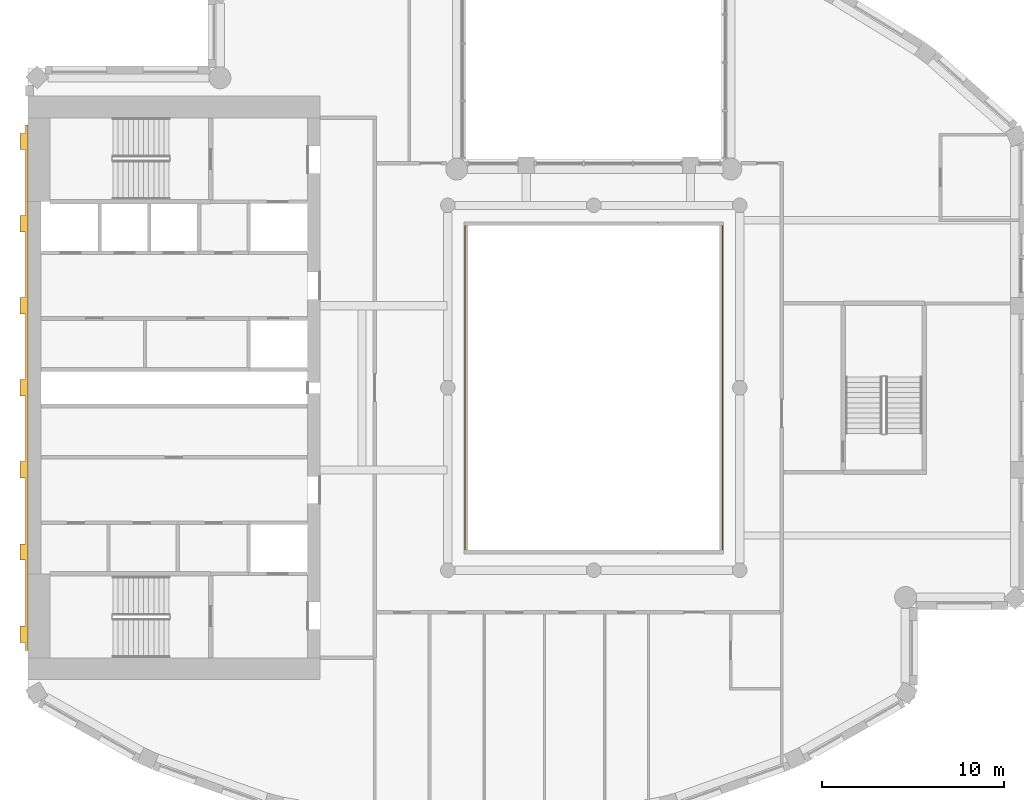
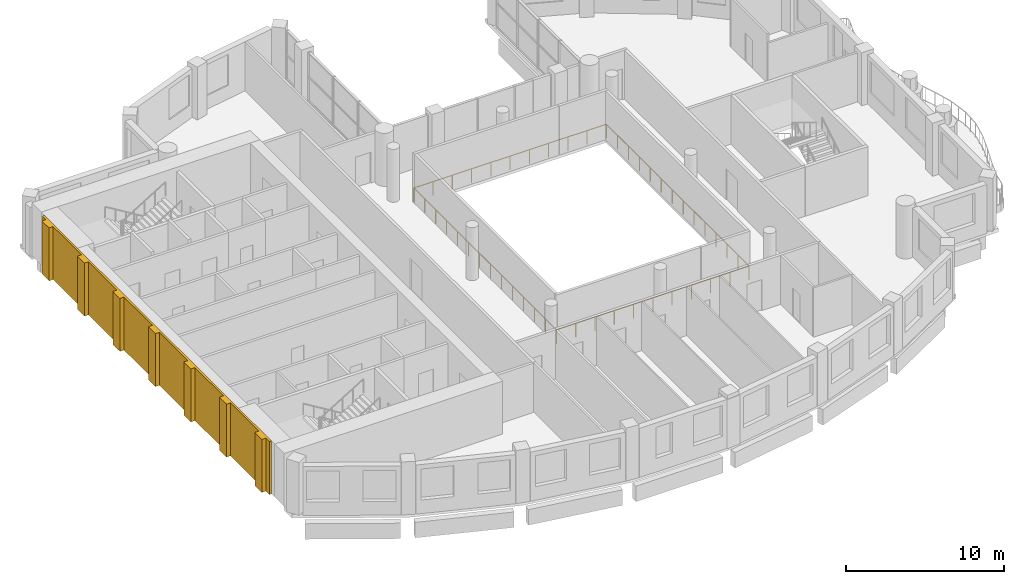
# One storey, part 12 of 15: 1 covering, 1 railing.
"""IFC4 building model written with IfcOpenShell, lengths in metres."""

from ifc_helpers import new_model, si_unit, direction, frame, origin, origin_2d, place, context, subcontext, project, spatial, polyline, rectangle, outline, extrude, material, layer, layer_set, type_object, element, save


model = new_model("IFC4")

# Units and contexts
model_context = context("Model", 3, precision=1e-05, world=origin(), true_north=direction((0.0, 1.0)))
body_context = subcontext(model_context, "Body", "Model", "MODEL_VIEW")
ifc_project = project(units=[si_unit("LENGTHUNIT", "METRE"), si_unit("AREAUNIT", "SQUARE_METRE"), si_unit("VOLUMEUNIT", "CUBIC_METRE"), si_unit("PLANEANGLEUNIT", "RADIAN"), si_unit("MASSUNIT", "GRAM", prefix="KILO")], contexts=[model_context])

# Site, building, storey
site_placement = place(None, origin())
site = spatial("IfcSite", under=ifc_project, at=site_placement, CompositionType="ELEMENT")
building_placement = place(site_placement, origin())
building = spatial("IfcBuilding", under=site, at=building_placement, Name="Cypress Arch Tower", CompositionType="ELEMENT")
storey_placement = place(building_placement, frame((0.0, 0.0, 309.0)))
storey = spatial("IfcBuildingStorey", under=building, at=storey_placement, Name="L70", CompositionType="ELEMENT", Elevation=309.0)

# Railing
ifc_material_1 = material(Name="Stainless steel posts and handrail, laminated glass infill", Category="steel")
railing_type = type_object("IfcRailingType", Name="Atrium guard GR1100A", PredefinedType="GUARDRAIL", material=ifc_material_1)
railing_placement = place(storey_placement, frame((8.050048828125, -9.050048828125, 0.0)))
element("IfcRailing", 1, at=railing_placement, inside=storey, type_object=railing_type, Name="Atrium guard L70", PredefinedType="GUARDRAIL", context=body_context, shape_type="SweptSolid", body=[
    extrude(rectangle(XDim=0.050048828125, YDim=0.050048828125, at=origin_2d()), frame((0.0, 0.0, 1.0751953125), z_axis=(-1.0, 0.0, 0.0), x_axis=(0.0, -1.0, 0.0)), (0.0, 0.0, 1.0), 14.10009765625),
    extrude(rectangle(XDim=0.050048828125, YDim=0.050048828125, at=origin_2d()), frame((-14.10009765625, 0.0, 1.0751953125), z_axis=(0.0, 1.0, 0.0), x_axis=(-1.0, 0.0, 0.0)), (0.0, 0.0, 1.0), 18.10009765625),
    extrude(rectangle(XDim=0.050048828125, YDim=0.050048828125, at=origin_2d()), frame((-14.10009765625, 18.10009765625, 1.0751953125), z_axis=(1.0, 0.0, 0.0), x_axis=(0.0, 1.0, 0.0)), (0.0, 0.0, 1.0), 14.10009765625),
    extrude(rectangle(XDim=0.050048828125, YDim=0.050048828125, at=origin_2d()), frame((0.0, 18.10009765625, 1.0751953125), z_axis=(0.0, -1.0, 0.0), x_axis=(1.0, 0.0, 0.0)), (0.0, 0.0, 1.0), 18.10009765625),
    extrude(rectangle(XDim=0.050048828125, YDim=0.050048828125, at=origin_2d()), origin(), (0.0, 0.0, 1.0), 1.050048828125),
    extrude(rectangle(XDim=0.050048828125, YDim=0.050048828125, at=origin_2d()), frame((-1.409912109375, 0.0, 0.0)), (0.0, 0.0, 1.0), 1.050048828125),
    extrude(rectangle(XDim=0.050048828125, YDim=0.050048828125, at=origin_2d()), frame((-2.820068359375, 0.0, 0.0)), (0.0, 0.0, 1.0), 1.050048828125),
    extrude(rectangle(XDim=0.050048828125, YDim=0.050048828125, at=origin_2d()), frame((-4.22998046875, 0.0, 0.0)), (0.0, 0.0, 1.0), 1.050048828125),
    extrude(rectangle(XDim=0.050048828125, YDim=0.050048828125, at=origin_2d()), frame((-5.64013671875, 0.0, 0.0)), (0.0, 0.0, 1.0), 1.050048828125),
    extrude(rectangle(XDim=0.050048828125, YDim=0.050048828125, at=origin_2d()), frame((-7.050048828125, 0.0, 0.0)), (0.0, 0.0, 1.0), 1.050048828125),
    extrude(rectangle(XDim=0.050048828125, YDim=0.050048828125, at=origin_2d()), frame((-8.4599609375, 0.0, 0.0)), (0.0, 0.0, 1.0), 1.050048828125),
    extrude(rectangle(XDim=0.050048828125, YDim=0.050048828125, at=origin_2d()), frame((-9.8701171875, 0.0, 0.0)), (0.0, 0.0, 1.0), 1.050048828125),
    extrude(rectangle(XDim=0.050048828125, YDim=0.050048828125, at=origin_2d()), frame((-11.280029296875, 0.0, 0.0)), (0.0, 0.0, 1.0), 1.050048828125),
    extrude(rectangle(XDim=0.050048828125, YDim=0.050048828125, at=origin_2d()), frame((-12.690185546875, 0.0, 0.0)), (0.0, 0.0, 1.0), 1.050048828125),
    extrude(rectangle(XDim=0.050048828125, YDim=0.050048828125, at=origin_2d()), frame((-14.10009765625, 0.0, 0.0)), (0.0, 0.0, 1.0), 1.050048828125),
    extrude(rectangle(XDim=0.050048828125, YDim=0.050048828125, at=origin_2d()), frame((-14.10009765625, 1.392333984375, 0.0)), (0.0, 0.0, 1.0), 1.050048828125),
    extrude(rectangle(XDim=0.050048828125, YDim=0.050048828125, at=origin_2d()), frame((-14.10009765625, 2.78466796875, 0.0)), (0.0, 0.0, 1.0), 1.050048828125),
    extrude(rectangle(XDim=0.050048828125, YDim=0.050048828125, at=origin_2d()), frame((-14.10009765625, 4.177001953125, 0.0)), (0.0, 0.0, 1.0), 1.050048828125),
    extrude(rectangle(XDim=0.050048828125, YDim=0.050048828125, at=origin_2d()), frame((-14.10009765625, 5.5693359375, 0.0)), (0.0, 0.0, 1.0), 1.050048828125),
    extrude(rectangle(XDim=0.050048828125, YDim=0.050048828125, at=origin_2d()), frame((-14.10009765625, 6.961669921875, 0.0)), (0.0, 0.0, 1.0), 1.050048828125),
    extrude(rectangle(XDim=0.050048828125, YDim=0.050048828125, at=origin_2d()), frame((-14.10009765625, 8.35400390625, 0.0)), (0.0, 0.0, 1.0), 1.050048828125),
    extrude(rectangle(XDim=0.050048828125, YDim=0.050048828125, at=origin_2d()), frame((-14.10009765625, 9.74609375, 0.0)), (0.0, 0.0, 1.0), 1.050048828125),
    extrude(rectangle(XDim=0.050048828125, YDim=0.050048828125, at=origin_2d()), frame((-14.10009765625, 11.138427734375, 0.0)), (0.0, 0.0, 1.0), 1.050048828125),
    extrude(rectangle(XDim=0.050048828125, YDim=0.050048828125, at=origin_2d()), frame((-14.10009765625, 12.53076171875, 0.0)), (0.0, 0.0, 1.0), 1.050048828125),
    extrude(rectangle(XDim=0.050048828125, YDim=0.050048828125, at=origin_2d()), frame((-14.10009765625, 13.923095703125, 0.0)), (0.0, 0.0, 1.0), 1.050048828125),
    extrude(rectangle(XDim=0.050048828125, YDim=0.050048828125, at=origin_2d()), frame((-14.10009765625, 15.3154296875, 0.0)), (0.0, 0.0, 1.0), 1.050048828125),
    extrude(rectangle(XDim=0.050048828125, YDim=0.050048828125, at=origin_2d()), frame((-14.10009765625, 16.707763671875, 0.0)), (0.0, 0.0, 1.0), 1.050048828125),
    extrude(rectangle(XDim=0.050048828125, YDim=0.050048828125, at=origin_2d()), frame((-14.10009765625, 18.10009765625, 0.0)), (0.0, 0.0, 1.0), 1.050048828125),
    extrude(rectangle(XDim=0.050048828125, YDim=0.050048828125, at=origin_2d()), frame((-12.690185546875, 18.10009765625, 0.0)), (0.0, 0.0, 1.0), 1.050048828125),
    extrude(rectangle(XDim=0.050048828125, YDim=0.050048828125, at=origin_2d()), frame((-11.280029296875, 18.10009765625, 0.0)), (0.0, 0.0, 1.0), 1.050048828125),
    extrude(rectangle(XDim=0.050048828125, YDim=0.050048828125, at=origin_2d()), frame((-9.8701171875, 18.10009765625, 0.0)), (0.0, 0.0, 1.0), 1.050048828125),
    extrude(rectangle(XDim=0.050048828125, YDim=0.050048828125, at=origin_2d()), frame((-8.4599609375, 18.10009765625, 0.0)), (0.0, 0.0, 1.0), 1.050048828125),
    extrude(rectangle(XDim=0.050048828125, YDim=0.050048828125, at=origin_2d()), frame((-7.050048828125, 18.10009765625, 0.0)), (0.0, 0.0, 1.0), 1.050048828125),
    extrude(rectangle(XDim=0.050048828125, YDim=0.050048828125, at=origin_2d()), frame((-5.64013671875, 18.10009765625, 0.0)), (0.0, 0.0, 1.0), 1.050048828125),
    extrude(rectangle(XDim=0.050048828125, YDim=0.050048828125, at=origin_2d()), frame((-4.22998046875, 18.10009765625, 0.0)), (0.0, 0.0, 1.0), 1.050048828125),
    extrude(rectangle(XDim=0.050048828125, YDim=0.050048828125, at=origin_2d()), frame((-2.820068359375, 18.10009765625, 0.0)), (0.0, 0.0, 1.0), 1.050048828125),
    extrude(rectangle(XDim=0.050048828125, YDim=0.050048828125, at=origin_2d()), frame((-1.409912109375, 18.10009765625, 0.0)), (0.0, 0.0, 1.0), 1.050048828125),
    extrude(rectangle(XDim=0.050048828125, YDim=0.050048828125, at=origin_2d()), frame((0.0, 18.10009765625, 0.0)), (0.0, 0.0, 1.0), 1.050048828125),
    extrude(rectangle(XDim=0.050048828125, YDim=0.050048828125, at=origin_2d()), frame((0.0, 16.707763671875, 0.0)), (0.0, 0.0, 1.0), 1.050048828125),
    extrude(rectangle(XDim=0.050048828125, YDim=0.050048828125, at=origin_2d()), frame((0.0, 15.3154296875, 0.0)), (0.0, 0.0, 1.0), 1.050048828125),
    extrude(rectangle(XDim=0.050048828125, YDim=0.050048828125, at=origin_2d()), frame((0.0, 13.923095703125, 0.0)), (0.0, 0.0, 1.0), 1.050048828125),
    extrude(rectangle(XDim=0.050048828125, YDim=0.050048828125, at=origin_2d()), frame((0.0, 12.53076171875, 0.0)), (0.0, 0.0, 1.0), 1.050048828125),
    extrude(rectangle(XDim=0.050048828125, YDim=0.050048828125, at=origin_2d()), frame((0.0, 11.138427734375, 0.0)), (0.0, 0.0, 1.0), 1.050048828125),
    extrude(rectangle(XDim=0.050048828125, YDim=0.050048828125, at=origin_2d()), frame((0.0, 9.74609375, 0.0)), (0.0, 0.0, 1.0), 1.050048828125),
    extrude(rectangle(XDim=0.050048828125, YDim=0.050048828125, at=origin_2d()), frame((0.0, 8.35400390625, 0.0)), (0.0, 0.0, 1.0), 1.050048828125),
    extrude(rectangle(XDim=0.050048828125, YDim=0.050048828125, at=origin_2d()), frame((0.0, 6.961669921875, 0.0)), (0.0, 0.0, 1.0), 1.050048828125),
    extrude(rectangle(XDim=0.050048828125, YDim=0.050048828125, at=origin_2d()), frame((0.0, 5.5693359375, 0.0)), (0.0, 0.0, 1.0), 1.050048828125),
    extrude(rectangle(XDim=0.050048828125, YDim=0.050048828125, at=origin_2d()), frame((0.0, 4.177001953125, 0.0)), (0.0, 0.0, 1.0), 1.050048828125),
    extrude(rectangle(XDim=0.050048828125, YDim=0.050048828125, at=origin_2d()), frame((0.0, 2.78466796875, 0.0)), (0.0, 0.0, 1.0), 1.050048828125),
    extrude(rectangle(XDim=0.050048828125, YDim=0.050048828125, at=origin_2d()), frame((0.0, 1.392333984375, 0.0)), (0.0, 0.0, 1.0), 1.050048828125),
])

# Covering
ifc_material_2 = material(Name="Brick (red buff blend)", Category="masonry")
ifc_layer = layer(ifc_material_2, 0.449951171875)
ifc_layer_set = layer_set([ifc_layer], Name="West face brick piers WP450")
covering_type = type_object("IfcCoveringType", Name="West face brick piers WP450", PredefinedType="CLADDING", material=ifc_layer_set)
covering_placement = place(storey_placement, origin())
element("IfcCovering", 2, at=covering_placement, inside=storey, type_object=covering_type, Name="West face brick piers L70", PredefinedType="CLADDING", context=body_context, shape_type="SweptSolid", body=[
    extrude(outline(polyline([(-30.14990234375, -13.050048828125), (-30.14990234375, -9.449951171875), (-30.449951171875, -9.449951171875), (-30.449951171875, -8.550048828125), (-30.14990234375, -8.550048828125), (-30.14990234375, -4.949951171875), (-30.449951171875, -4.949951171875), (-30.449951171875, -4.050048828125), (-30.14990234375, -4.050048828125), (-30.14990234375, -0.449951171875), (-30.449951171875, -0.449951171875), (-30.449951171875, 0.449951171875), (-30.14990234375, 0.449951171875), (-30.14990234375, 4.050048828125), (-30.449951171875, 4.050048828125), (-30.449951171875, 4.949951171875), (-30.14990234375, 4.949951171875), (-30.14990234375, 8.550048828125), (-30.449951171875, 8.550048828125), (-30.449951171875, 9.449951171875), (-30.14990234375, 9.449951171875), (-30.14990234375, 13.050048828125), (-30.449951171875, 13.050048828125), (-30.449951171875, 13.949951171875), (-30.14990234375, 13.949951171875), (-30.14990234375, 14.39990234375), (-30.0, 14.39990234375), (-30.0, -14.39990234375), (-30.14990234375, -14.39990234375), (-30.14990234375, -13.949951171875), (-30.449951171875, -13.949951171875), (-30.449951171875, -13.050048828125), (-30.14990234375, -13.050048828125)])), origin(), (0.0, 0.0, 1.0), 4.10009765625),
])

save(model, "model.ifc")
